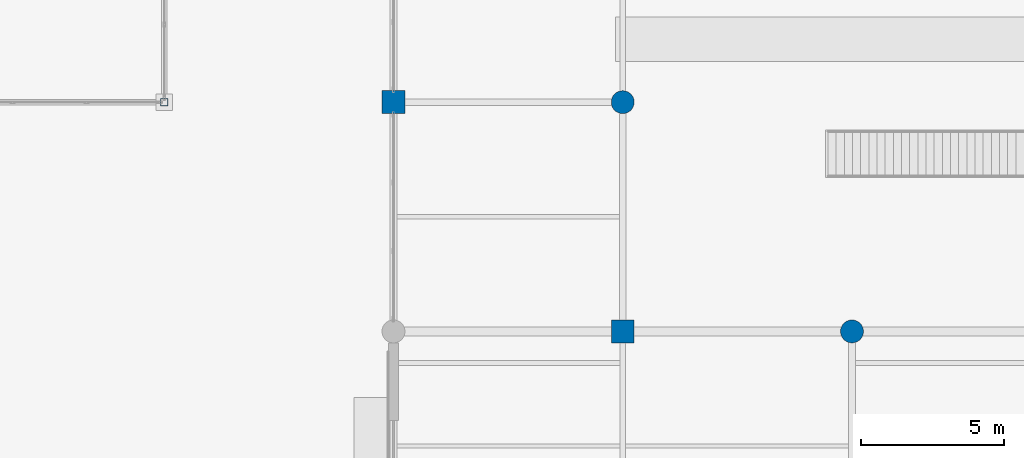
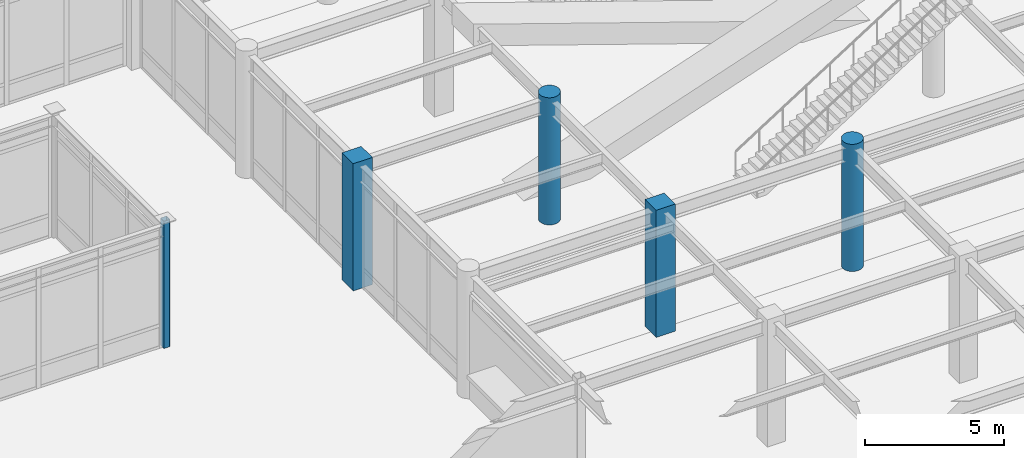
# One storey, part 10 of 128: 5 columns.
"""IFC4 building model written with IfcOpenShell, lengths in metres."""

from ifc_helpers import new_model, si_unit, direction, frame, origin, origin_2d, place, context, subcontext, project, spatial, rectangle, hollow_rectangle, circle, extrude, material, material_profile, profile_set, type_object, element, save


model = new_model("IFC4")

# Units and contexts
model_context = context("Model", 3, precision=1e-05, world=origin(), true_north=direction((0.0, 1.0)))
body_context = subcontext(model_context, "Body", "Model", "MODEL_VIEW")
ifc_project = project(units=[si_unit("LENGTHUNIT", "METRE"), si_unit("AREAUNIT", "SQUARE_METRE"), si_unit("VOLUMEUNIT", "CUBIC_METRE"), si_unit("PLANEANGLEUNIT", "RADIAN"), si_unit("MASSUNIT", "GRAM", prefix="KILO")], contexts=[model_context])

# Site, building, storey
site_placement = place(None, origin())
site = spatial("IfcSite", under=ifc_project, at=site_placement, CompositionType="ELEMENT")
building_placement = place(site_placement, origin())
building = spatial("IfcBuilding", under=site, at=building_placement, Name="Solmirada Galleria", CompositionType="ELEMENT")
storey_placement = place(building_placement, origin())
storey = spatial("IfcBuildingStorey", under=building, at=storey_placement, Name="L00", CompositionType="ELEMENT", Elevation=0.0)

# Columns
ifc_material_1 = material(Name="Concrete C40/50", Category="concrete")
ifc_material_profile_1 = material_profile(ifc_material_1, circle(Radius=0.39990234375, at=origin_2d()), Name="RCCOL800")
ifc_profile_set_1 = profile_set([ifc_material_profile_1], Name="Concrete C40/50")
column_type_1 = type_object("IfcColumnType", Name="COL-CIR800", PredefinedType="COLUMN", material=ifc_profile_set_1)
for number, where, z_axis, x_axis, name in (
    (1, (88.0, 56.0, 0.0), (0.0, 0.0, 1.0), (1.0, 0.0, 0.0), "Structural column L00-0520"),
    (2, (96.0, 48.0, 0.0), (0.0, 0.0, 1.0), (1.0, 0.0, 0.0), "Structural column L00-0633"),
):
    element("IfcColumn", number, at=place(storey_placement, frame(where, z_axis=z_axis, x_axis=x_axis)), inside=storey, type_object=column_type_1, Name=name, PredefinedType="COLUMN", context=body_context, shape_type="SweptSolid", body=[
        extrude(circle(Radius=0.39990234375, at=origin_2d()), origin(), (0.0, 0.0, 1.0), 5.60009765625),
    ])
ifc_material_2 = material(Name="Steel S355 / ASTM A500 Grade C", Category="steel")
ifc_material_profile_2 = material_profile(ifc_material_2, hollow_rectangle(XDim=0.25390625, YDim=0.25390625, WallThickness=0.0087890625, InnerFilletRadius=0.0087890625, OuterFilletRadius=0.017822265625, at=origin_2d()), Name="HSS10X10X3/8")
ifc_profile_set_2 = profile_set([ifc_material_profile_2], Name="Steel S355 / ASTM A500 Grade C")
column_type_2 = type_object("IfcColumnType", Name="COL-HSS10", PredefinedType="COLUMN", material=ifc_profile_set_2)
column_placement = place(storey_placement, frame((72.0, 56.0, 0.0), z_axis=(0.0, 0.0, 1.0), x_axis=(1.0, 0.0, 0.0)))
element("IfcColumn", 3, at=column_placement, inside=storey, type_object=column_type_2, Name="Structural column L00-0301", PredefinedType="COLUMN", context=body_context, shape_type="SweptSolid", body=[
    extrude(hollow_rectangle(XDim=0.25390625, YDim=0.25390625, WallThickness=0.0087890625, InnerFilletRadius=0.0087890625, OuterFilletRadius=0.017822265625, at=origin_2d()), origin(), (0.0, 0.0, 1.0), 5.60009765625),
])
ifc_material_profile_3 = material_profile(ifc_material_1, rectangle(XDim=0.800048828125, YDim=0.800048828125, at=origin_2d()), Name="RC800X800")
ifc_profile_set_3 = profile_set([ifc_material_profile_3], Name="Concrete C40/50")
column_type_3 = type_object("IfcColumnType", Name="COL-RC800", PredefinedType="COLUMN", material=ifc_profile_set_3)
for number, where, z_axis, x_axis, name in (
    (4, (80.0, 56.0, 0.0), (0.0, 0.0, 1.0), (1.0, 0.0, 0.0), "Structural column L00-0397"),
    (5, (88.0, 48.0, 0.0), (0.0, 0.0, 1.0), (1.0, 0.0, 0.0), "Structural column L00-0511"),
):
    element("IfcColumn", number, at=place(storey_placement, frame(where, z_axis=z_axis, x_axis=x_axis)), inside=storey, type_object=column_type_3, Name=name, PredefinedType="COLUMN", context=body_context, shape_type="SweptSolid", body=[
        extrude(rectangle(XDim=0.800048828125, YDim=0.800048828125, at=origin_2d()), origin(), (0.0, 0.0, 1.0), 5.60009765625),
    ])

save(model, "model.ifc")
